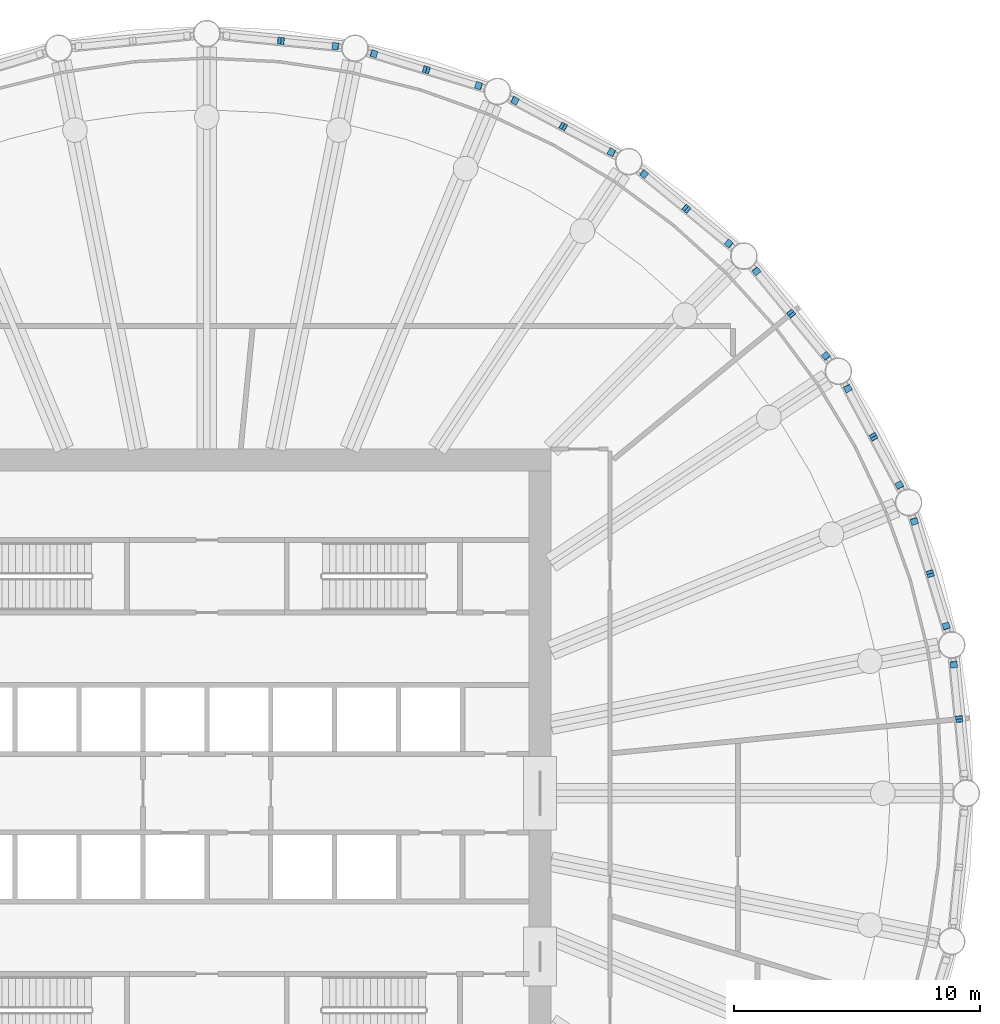
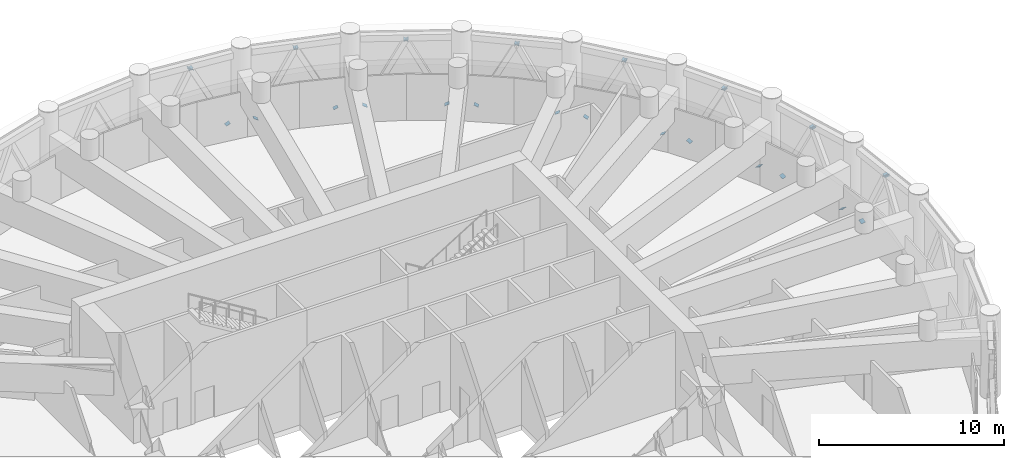
# One storey, part 15 of 23: 30 discrete accessories.
"""IFC4 building model written with IfcOpenShell, lengths in metres."""

from ifc_helpers import new_model, si_unit, direction, frame, origin, origin_2d, place, context, subcontext, project, spatial, rectangle, extrude, material, material_profile, profile_set, type_object, element, save


model = new_model("IFC4")

# Units and contexts
model_context = context("Model", 3, precision=1e-05, world=origin(), true_north=direction((0.0, 1.0)))
body_context = subcontext(model_context, "Body", "Model", "MODEL_VIEW")
ifc_project = project(units=[si_unit("LENGTHUNIT", "METRE"), si_unit("AREAUNIT", "SQUARE_METRE"), si_unit("VOLUMEUNIT", "CUBIC_METRE"), si_unit("PLANEANGLEUNIT", "RADIAN"), si_unit("MASSUNIT", "GRAM", prefix="KILO")], contexts=[model_context])

# Site, building, storey
site_placement = place(None, origin())
site = spatial("IfcSite", under=ifc_project, at=site_placement, CompositionType="ELEMENT")
building_placement = place(site_placement, origin())
building = spatial("IfcBuilding", under=site, at=building_placement, Name="Corvane Civic Tower", CompositionType="ELEMENT")
storey_placement = place(building_placement, frame((0.0, 0.0, 196.0)))
storey = spatial("IfcBuildingStorey", under=building, at=storey_placement, Name="L46", CompositionType="ELEMENT", Elevation=196.0)

# Discrete accessories
ifc_material = material(Name="Steel ASTM A572 Gr 50", Category="steel")
ifc_material_profile = material_profile(ifc_material, rectangle(XDim=0.2802734375, YDim=0.2802734375, at=origin_2d()), Name="GUSSET PLATE 25 IN HSS12X12X1/2")
ifc_profile_set = profile_set([ifc_material_profile], Name="Steel ASTM A572 Gr 50")
discrete_accessory_type = type_object("IfcDiscreteAccessoryType", Name="GUSSET PLATE 25 IN HSS12X12X1/2", PredefinedType="BRACKET", material=ifc_profile_set)
for number, where, z_axis, x_axis, name in (
    (1, (3.01416015625, 30.60302734375, 4.74365234375), (-0.458345761298, 0.048760187372, -0.887435410172), (-0.105786054594, -0.994388913179, 0.0), "Gusset plate BD1 end B"),
    (2, (5.232177734375, 30.384521484375, 0.406494140625), (-0.458345761298, 0.048760187372, 0.887435410172), (-0.105786054594, -0.994388913179, 0.0), "Gusset plate BD1 end A"),
    (3, (3.01416015625, 30.60302734375, 4.74365234375), (0.458345761298, -0.048760187372, -0.887435410172), (0.105786054594, 0.994388913179, 0.0), "Gusset plate BD1 end B"),
):
    element("IfcDiscreteAccessory", number, at=place(storey_placement, frame(where, z_axis=z_axis, x_axis=x_axis)), inside=storey, type_object=discrete_accessory_type, Name=name, PredefinedType="BRACKET", context=body_context, shape_type="SweptSolid", body=[
        extrude(rectangle(XDim=0.2802734375, YDim=0.2802734375, at=origin_2d()), origin(), (0.0, 0.0, 1.0), 0.025146484375),
    ])
for number, where, z_axis, x_axis, name in (
    (4, (6.7939453125, 30.073974609375, 0.406494140625), (0.439113214512, -0.13661300007, 0.887984500457), (0.297066552636, 0.954856776331, 0.0), "Gusset plate BD1 end A"),
    (5, (8.9267578125, 29.427001953125, 4.74365234375), (-0.439113214512, 0.13661300007, -0.887984500457), (-0.297066552636, -0.954856776331, 0.0), "Gusset plate BD1 end B"),
    (6, (11.059326171875, 28.780029296875, 0.406494140625), (-0.431186090161, 0.137195574142, 0.891771231924), (-0.303203657277, -0.952925780013, 0.0), "Gusset plate BD1 end A"),
    (7, (8.9267578125, 29.427001953125, 4.74365234375), (0.431186090161, -0.137195574142, -0.891771231924), (0.303203657277, 0.952925780013, 0.0), "Gusset plate BD1 end B"),
    (8, (12.530517578125, 28.170654296875, 0.406494140625), (0.401151893027, -0.215252235283, 0.890361518669), (0.472817704815, 0.881160268064, 0.0), "Gusset plate BD1 end A"),
    (9, (14.49609375, 27.1201171875, 4.74365234375), (-0.401151893027, 0.215252235283, -0.890361518669), (-0.472817704815, -0.881160268064, 0.0), "Gusset plate BD1 end B"),
    (10, (16.461669921875, 26.069580078125, 0.406494140625), (-0.401151893027, 0.215252235283, 0.890361518669), (-0.472817704815, -0.881160268064, 0.0), "Gusset plate BD1 end A"),
    (11, (14.49609375, 27.1201171875, 4.74365234375), (0.401151893027, -0.215252235283, -0.890361518669), (0.472817704815, 0.881160268064, 0.0), "Gusset plate BD1 end B"),
    (12, (17.78564453125, 25.184814453125, 0.406494140625), (0.351709443019, -0.293091202516, 0.889043314299), (0.640184399664, 0.768221279597, 0.0), "Gusset plate BD1 end A"),
    (13, (19.50830078125, 23.77099609375, 4.74365234375), (-0.351709443019, 0.293091202516, -0.889043314299), (-0.640184399664, -0.768221279597, 0.0), "Gusset plate BD1 end B"),
    (14, (21.231201171875, 22.357177734375, 0.406494140625), (-0.351709443019, 0.293091202516, 0.889043314299), (-0.640184399664, -0.768221279597, 0.0), "Gusset plate BD1 end A"),
):
    element("IfcDiscreteAccessory", number, at=place(storey_placement, frame(where, z_axis=z_axis, x_axis=x_axis)), inside=storey, type_object=discrete_accessory_type, Name=name, PredefinedType="BRACKET", context=body_context, shape_type="SweptSolid", body=[
        extrude(rectangle(XDim=0.2802734375, YDim=0.2802734375, at=origin_2d()), origin(), (0.0, 0.0, 1.0), 0.02490234375),
    ])
discrete_accessory_1_placement = place(storey_placement, frame((19.50830078125, 23.77099609375, 4.74365234375), z_axis=(0.360226363798, -0.292075430107, -0.88596213799), x_axis=(0.629801958421, 0.77675574872, 0.0)))
element("IfcDiscreteAccessory", 15, at=discrete_accessory_1_placement, inside=storey, type_object=discrete_accessory_type, Name="Gusset plate BD1 end B", PredefinedType="BRACKET", context=body_context, shape_type="SweptSolid", body=[
    extrude(rectangle(XDim=0.2802734375, YDim=0.2802734375, at=origin_2d()), origin(), (0.0, 0.0, 1.0), 0.025146484375),
])
discrete_accessory_2_placement = place(storey_placement, frame((22.357177734375, 21.231201171875, 0.406494140625), z_axis=(0.293091202516, -0.351709443019, 0.889043314299), x_axis=(0.768221279597, 0.640184399664, 0.0)))
element("IfcDiscreteAccessory", 16, at=discrete_accessory_2_placement, inside=storey, type_object=discrete_accessory_type, Name="Gusset plate BD1 end A", PredefinedType="BRACKET", context=body_context, shape_type="SweptSolid", body=[
    extrude(rectangle(XDim=0.2802734375, YDim=0.2802734375, at=origin_2d()), origin(), (0.0, 0.0, 1.0), 0.02490234375),
])
discrete_accessory_3_placement = place(storey_placement, frame((23.77099609375, 19.50830078125, 4.74365234375), z_axis=(-0.292075430107, 0.360226363798, -0.88596213799), x_axis=(-0.77675574872, -0.629801958421, 0.0)))
element("IfcDiscreteAccessory", 17, at=discrete_accessory_3_placement, inside=storey, type_object=discrete_accessory_type, Name="Gusset plate BD1 end B", PredefinedType="BRACKET", context=body_context, shape_type="SweptSolid", body=[
    extrude(rectangle(XDim=0.2802734375, YDim=0.2802734375, at=origin_2d()), origin(), (0.0, 0.0, 1.0), 0.025146484375),
])
for number, where, z_axis, x_axis, name in (
    (18, (25.184814453125, 17.78564453125, 0.406494140625), (-0.293091202516, 0.351709443019, 0.889043314299), (-0.768221279597, -0.640184399664, 0.0), "Gusset plate BD1 end A"),
    (19, (23.77099609375, 19.50830078125, 4.74365234375), (0.293091202516, -0.351709443019, -0.889043314299), (0.768221279597, 0.640184399664, 0.0), "Gusset plate BD1 end B"),
    (20, (26.069580078125, 16.461669921875, 0.406494140625), (0.215252235283, -0.401151893027, 0.890361518669), (0.881160268064, 0.472817704815, 0.0), "Gusset plate BD1 end A"),
    (21, (27.1201171875, 14.49609375, 4.74365234375), (-0.215252235283, 0.401151893027, -0.890361518669), (-0.881160268064, -0.472817704815, 0.0), "Gusset plate BD1 end B"),
    (22, (28.170654296875, 12.530517578125, 0.406494140625), (-0.215252235283, 0.401151893027, 0.890361518669), (-0.881160268064, -0.472817704815, 0.0), "Gusset plate BD1 end A"),
    (23, (27.1201171875, 14.49609375, 4.74365234375), (0.215252235283, -0.401151893027, -0.890361518669), (0.881160268064, 0.472817704815, 0.0), "Gusset plate BD1 end B"),
    (24, (28.780029296875, 11.059326171875, 0.406494140625), (0.137195574142, -0.431186090161, 0.891771231924), (0.952925780013, 0.303203657277, 0.0), "Gusset plate BD1 end A"),
    (25, (29.427001953125, 8.9267578125, 4.74365234375), (-0.137195574142, 0.431186090161, -0.891771231924), (-0.952925780013, -0.303203657277, 0.0), "Gusset plate BD1 end B"),
    (26, (30.073974609375, 6.7939453125, 0.406494140625), (-0.13661300007, 0.439113214512, 0.887984500457), (-0.954856776331, -0.297066552636, 0.0), "Gusset plate BD1 end A"),
    (27, (29.427001953125, 8.9267578125, 4.74365234375), (0.13661300007, -0.439113214512, -0.887984500457), (0.954856776331, 0.297066552636, 0.0), "Gusset plate BD1 end B"),
):
    element("IfcDiscreteAccessory", number, at=place(storey_placement, frame(where, z_axis=z_axis, x_axis=x_axis)), inside=storey, type_object=discrete_accessory_type, Name=name, PredefinedType="BRACKET", context=body_context, shape_type="SweptSolid", body=[
        extrude(rectangle(XDim=0.2802734375, YDim=0.2802734375, at=origin_2d()), origin(), (0.0, 0.0, 1.0), 0.02490234375),
    ])
for number, where, z_axis, x_axis, name in (
    (28, (30.384521484375, 5.232177734375, 0.406494140625), (0.048760187372, -0.458345761298, 0.887435410172), (0.994388913179, 0.105786054594, 0.0), "Gusset plate BD1 end A"),
    (29, (30.60302734375, 3.01416015625, 4.74365234375), (-0.048760187372, 0.458345761298, -0.887435410172), (-0.994388913179, -0.105786054594, 0.0), "Gusset plate BD1 end B"),
    (30, (30.60302734375, 3.01416015625, 4.74365234375), (0.048760187372, -0.458345761298, -0.887435410172), (0.994388913179, 0.105786054594, 0.0), "Gusset plate BD1 end B"),
):
    element("IfcDiscreteAccessory", number, at=place(storey_placement, frame(where, z_axis=z_axis, x_axis=x_axis)), inside=storey, type_object=discrete_accessory_type, Name=name, PredefinedType="BRACKET", context=body_context, shape_type="SweptSolid", body=[
        extrude(rectangle(XDim=0.2802734375, YDim=0.2802734375, at=origin_2d()), origin(), (0.0, 0.0, 1.0), 0.025146484375),
    ])

save(model, "model.ifc")
